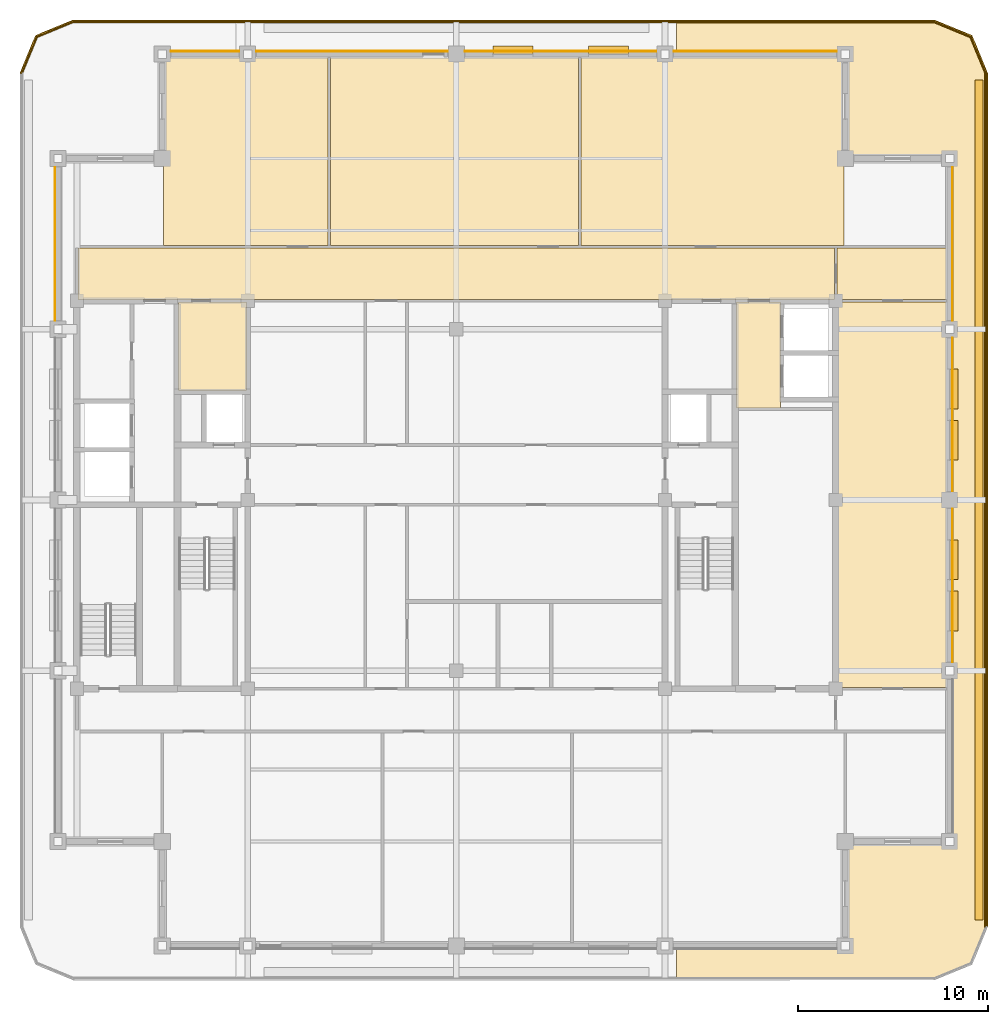
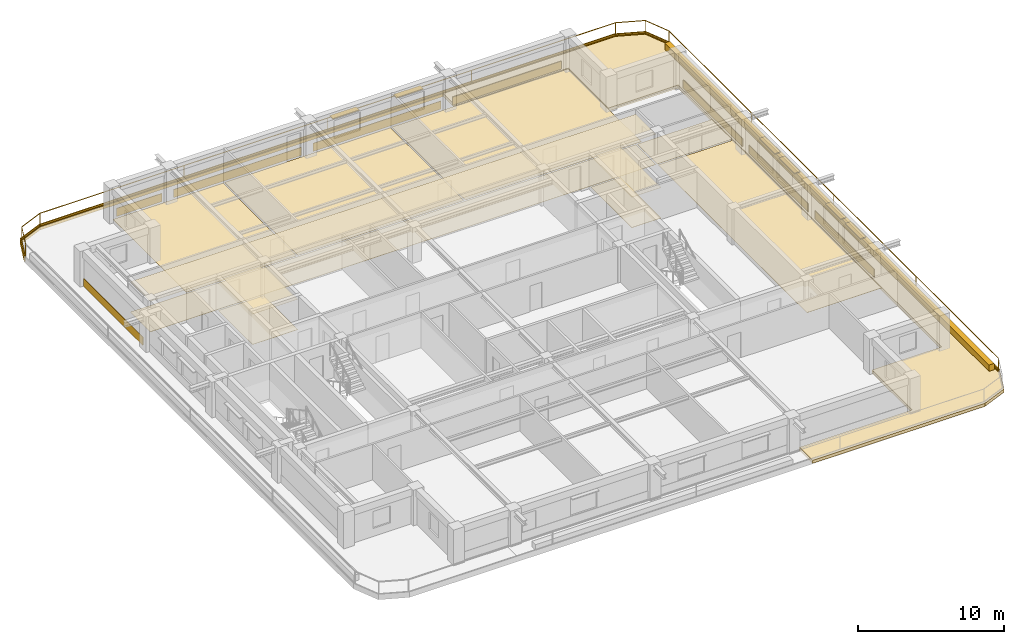
# One storey, part 11 of 11: 27 coverings, 6 shading devices, 2 railings.
"""IFC4 building model written with IfcOpenShell, lengths in metres."""

from ifc_helpers import new_model, si_unit, direction, frame, frame_2d, origin, origin_2d, place, context, subcontext, project, spatial, polyline, rectangle, outline, extrude, material, layer, layer_set, type_object, element, save


model = new_model("IFC4")

# Units and contexts
model_context = context("Model", 3, precision=1e-05, world=origin(), true_north=direction((0.0, 1.0)))
body_context = subcontext(model_context, "Body", "Model", "MODEL_VIEW")
ifc_project = project(units=[si_unit("LENGTHUNIT", "METRE"), si_unit("AREAUNIT", "SQUARE_METRE"), si_unit("VOLUMEUNIT", "CUBIC_METRE"), si_unit("PLANEANGLEUNIT", "RADIAN"), si_unit("MASSUNIT", "GRAM", prefix="KILO")], contexts=[model_context])

# Site, building, storey
site_placement = place(None, origin())
site = spatial("IfcSite", under=ifc_project, at=site_placement, CompositionType="ELEMENT")
building_placement = place(site_placement, origin())
building = spatial("IfcBuilding", under=site, at=building_placement, Name="Zulmaris Gate Convention Tower", CompositionType="ELEMENT")
storey_placement = place(building_placement, frame((0.0, 0.0, 236.510009765625)))
storey = spatial("IfcBuildingStorey", under=building, at=storey_placement, Name="L62", CompositionType="ELEMENT", Elevation=236.510009765625)

# Coverings
ifc_material_1 = material(Name="Precast concrete C40/50", Category="concrete")
ifc_layer_1 = layer(ifc_material_1, 0.0400390625, Name="Precast concrete C40/50")
ifc_layer_set_1 = layer_set([ifc_layer_1], Name="Precast concrete C40/50")
covering_type_1 = type_object("IfcCoveringType", Name="CLAD-SPANDREL-PRECAST", PredefinedType="CLADDING", material=ifc_layer_set_1)
covering_1_placement = place(storey_placement, frame((-11.455078125, 23.64990234375, 0.0), z_axis=(0.0, 0.0, 1.0), x_axis=(-1.0, 0.0, 0.0)))
element("IfcCovering", 1, at=covering_1_placement, inside=storey, type_object=covering_type_1, Name="CLD-L62-N-0_0", PredefinedType="CLADDING", context=body_context, shape_type="SweptSolid", body=[
    extrude(rectangle(XDim=3.58984375, YDim=0.0400390625, at=frame_2d((1.794921875, 0.0))), origin(), (0.0, 0.0, 1.0), 0.679931640625),
])
for number, where, z_axis, x_axis, name in (
    (2, (-0.455078125, 23.64990234375, 0.0), (0.0, 0.0, 1.0), (-1.0, 0.0, 0.0), "CLD-L62-N-1_0"),
    (3, (10.544921875, 23.64990234375, 0.0), (0.0, 0.0, 1.0), (-1.0, 0.0, 0.0), "CLD-L62-N-2_0"),
):
    element("IfcCovering", number, at=place(storey_placement, frame(where, z_axis=z_axis, x_axis=x_axis)), inside=storey, type_object=covering_type_1, Name=name, PredefinedType="CLADDING", context=body_context, shape_type="SweptSolid", body=[
        extrude(rectangle(XDim=10.08984375, YDim=0.0400390625, at=frame_2d((5.044921875, 0.0))), origin(), (0.0, 0.0, 1.0), 0.679931640625),
    ])
covering_2_placement = place(storey_placement, frame((20.044921875, 23.64990234375, 0.0), z_axis=(0.0, 0.0, 1.0), x_axis=(-1.0, 0.0, 0.0)))
element("IfcCovering", 4, at=covering_2_placement, inside=storey, type_object=covering_type_1, Name="CLD-L62-N-3_0", PredefinedType="CLADDING", context=body_context, shape_type="SweptSolid", body=[
    extrude(rectangle(XDim=8.58984375, YDim=0.0400390625, at=frame_2d((4.294921875, 0.0))), origin(), (0.0, 0.0, 1.0), 0.679931640625),
])
for number, where, z_axis, x_axis, name in (
    (5, (26.14990234375, -8.544921875, 0.0), (0.0, 0.0, 1.0), (0.0, 1.0, 0.0), "CLD-L62-E-1_0"),
    (6, (26.14990234375, 0.455078125, 0.0), (0.0, 0.0, 1.0), (0.0, 1.0, 0.0), "CLD-L62-E-2_0"),
    (7, (26.14990234375, 9.455078125, 0.0), (0.0, 0.0, 1.0), (0.0, 1.0, 0.0), "CLD-L62-E-3_0"),
    (8, (-21.14990234375, 17.544921875, 0.0), (0.0, 0.0, 1.0), (0.0, -1.0, 0.0), "CLD-L62-W-3_0"),
):
    element("IfcCovering", number, at=place(storey_placement, frame(where, z_axis=z_axis, x_axis=x_axis)), inside=storey, type_object=covering_type_1, Name=name, PredefinedType="CLADDING", context=body_context, shape_type="SweptSolid", body=[
        extrude(rectangle(XDim=8.08984375, YDim=0.0400390625, at=frame_2d((4.044921875, 0.0))), origin(), (0.0, 0.0, 1.0), 0.679931640625),
    ])
ifc_material_2 = material(Name="White Glazed Architectural Precast Concrete C40/50", Category="concrete")
ifc_layer_2 = layer(ifc_material_2, 0.239990234375, Name="White Glazed Architectural Precast Concrete C40/50")
ifc_layer_set_2 = layer_set([ifc_layer_2], Name="White Glazed Architectural Precast Concrete C40/50")
covering_type_2 = type_object("IfcCoveringType", Name="CLAD-TRAY-DECK", PredefinedType="CLADDING", material=ifc_layer_set_2)
covering_3_placement = place(storey_placement, frame((0.0, 0.0, -0.25)))
element("IfcCovering", 9, at=covering_3_placement, inside=storey, type_object=covering_type_2, Name="L62 East Rounded-Fascia Planter Tray Deck", PredefinedType="CLADDING", context=body_context, shape_type="SweptSolid", body=[
    extrude(outline(polyline([(25.199951171875, 25.300048828125), (27.179931640625, 24.47998046875), (28.0, 22.5), (28.0, -22.5), (27.179931640625, -24.47998046875), (25.199951171875, -25.300048828125), (11.60205078125, -25.300048828125), (11.60205078125, -23.5), (20.5, -23.5), (20.5, -18.0), (26.0, -18.0), (26.0, 18.0), (20.5, 18.0), (20.5, 23.5), (11.60205078125, 23.5), (11.60205078125, 25.300048828125), (25.199951171875, 25.300048828125)])), origin(), (0.0, 0.0, 1.0), 0.260009765625),
])
ifc_layer_3 = layer(ifc_material_2, 0.080078125, Name="White Glazed Architectural Precast Concrete C40/50")
ifc_layer_set_3 = layer_set([ifc_layer_3], Name="White Glazed Architectural Precast Concrete C40/50")
covering_type_3 = type_object("IfcCoveringType", Name="CLAD-TRAY-FASCIA", PredefinedType="CLADDING", material=ifc_layer_set_3)
covering_4_placement = place(storey_placement, frame((27.9599609375, -22.5, -0.2900390625), z_axis=(0.0, 0.0, 1.0), x_axis=(0.0, 1.0, 0.0)))
element("IfcCovering", 10, at=covering_4_placement, inside=storey, type_object=covering_type_3, Name="FSC-L62-TR-05", PredefinedType="CLADDING", context=body_context, shape_type="SweptSolid", body=[
    extrude(rectangle(XDim=45.0, YDim=0.080078125, at=frame_2d((22.5, 0.0))), origin(), (0.0, 0.0, 1.0), 0.4599609375),
])
covering_5_placement = place(storey_placement, frame((27.962890625, 22.484619140625, -0.2900390625), z_axis=(0.0, 0.0, 1.0), x_axis=(-0.382656984709, 0.923890487046, 0.0)))
element("IfcCovering", 11, at=covering_5_placement, inside=storey, type_object=covering_type_3, Name="FSC-L62-TR-06", PredefinedType="CLADDING", context=body_context, shape_type="SweptSolid", body=[
    extrude(rectangle(XDim=2.14306640625, YDim=0.080078125, at=frame_2d((1.071533203125, 0.0))), origin(), (0.0, 0.0, 1.0), 0.4599609375),
])
covering_6_placement = place(storey_placement, frame((27.16455078125, 24.44287109375, -0.2900390625), z_axis=(0.0, 0.0, 1.0), x_axis=(-0.923873803533, 0.382697263049, 0.0)))
element("IfcCovering", 12, at=covering_6_placement, inside=storey, type_object=covering_type_3, Name="FSC-L62-TR-07", PredefinedType="CLADDING", context=body_context, shape_type="SweptSolid", body=[
    extrude(rectangle(XDim=2.142822265625, YDim=0.080078125, at=frame_2d((1.0712890625, 0.0))), origin(), (0.0, 0.0, 1.0), 0.4599609375),
])
covering_7_placement = place(storey_placement, frame((25.199951171875, 25.260009765625, -0.2900390625), z_axis=(0.0, 0.0, 1.0), x_axis=(-1.0, 0.0, 0.0)))
element("IfcCovering", 13, at=covering_7_placement, inside=storey, type_object=covering_type_3, Name="FSC-L62-TR-08", PredefinedType="CLADDING", context=body_context, shape_type="SweptSolid", body=[
    extrude(rectangle(XDim=45.39990234375, YDim=0.080078125, at=frame_2d((22.699951171875, 0.0))), origin(), (0.0, 0.0, 1.0), 0.4599609375),
])
covering_8_placement = place(storey_placement, frame((-20.184814453125, 25.262939453125, -0.2900390625), z_axis=(0.0, 0.0, 1.0), x_axis=(-0.923873803533, -0.382697263049, 0.0)))
element("IfcCovering", 14, at=covering_8_placement, inside=storey, type_object=covering_type_3, Name="FSC-L62-TR-09", PredefinedType="CLADDING", context=body_context, shape_type="SweptSolid", body=[
    extrude(rectangle(XDim=2.142822265625, YDim=0.080078125, at=frame_2d((1.0712890625, 0.0))), origin(), (0.0, 0.0, 1.0), 0.4599609375),
])
covering_9_placement = place(storey_placement, frame((-22.142822265625, 24.464599609375, -0.2900390625), z_axis=(0.0, 0.0, 1.0), x_axis=(-0.382656984709, -0.923890487046, 0.0)))
element("IfcCovering", 15, at=covering_9_placement, inside=storey, type_object=covering_type_3, Name="FSC-L62-TR-10", PredefinedType="CLADDING", context=body_context, shape_type="SweptSolid", body=[
    extrude(rectangle(XDim=2.14306640625, YDim=0.080078125, at=frame_2d((1.071533203125, 0.0))), origin(), (0.0, 0.0, 1.0), 0.4599609375),
])
ifc_material_3 = material(Name="Mineral Fibre Acoustic Ceiling Tile")
ifc_layer_4 = layer(ifc_material_3, 0.02001953125, Name="Mineral Fibre Acoustic Ceiling Tile")
ifc_layer_set_4 = layer_set([ifc_layer_4], Name="Mineral Fibre Acoustic Ceiling Tile")
covering_type_4 = type_object("IfcCoveringType", Name="CLG-ACOUSTIC-600", PredefinedType="CEILING", material=ifc_layer_set_4)
covering_10_placement = place(storey_placement, frame((0.0, 0.0, 2.5380859375)))
element("IfcCovering", 16, at=covering_10_placement, inside=storey, type_object=covering_type_4, Name="CLG-L62-R11", PredefinedType="CEILING", context=body_context, shape_type="SweptSolid", body=[
    extrude(outline(polyline([(-14.639892578125, 5.760009765625), (-11.06005859375, 5.760009765625), (-11.06005859375, 10.43994140625), (-14.639892578125, 10.43994140625), (-14.639892578125, 5.760009765625)])), origin(), (0.0, 0.0, 1.0), 0.02001953125),
])
covering_11_placement = place(storey_placement, frame((0.0, 0.0, 2.5380859375)))
element("IfcCovering", 17, at=covering_11_placement, inside=storey, type_object=covering_type_4, Name="CLG-L62-R21", PredefinedType="CEILING", context=body_context, shape_type="SweptSolid", body=[
    extrude(outline(polyline([(14.760009765625, 4.860107421875), (17.090087890625, 4.860107421875), (17.090087890625, 10.43994140625), (14.760009765625, 10.43994140625), (14.760009765625, 4.860107421875)])), origin(), (0.0, 0.0, 1.0), 0.02001953125),
])
covering_12_placement = place(storey_placement, frame((0.0, 0.0, 2.5380859375)))
element("IfcCovering", 18, at=covering_12_placement, inside=storey, type_object=covering_type_4, Name="CLG-L62-R25", PredefinedType="CEILING", context=body_context, shape_type="SweptSolid", body=[
    extrude(outline(polyline([(-19.93994140625, 10.56005859375), (19.93994140625, 10.56005859375), (19.93994140625, 13.2900390625), (-19.93994140625, 13.2900390625), (-19.93994140625, 10.56005859375)])), origin(), (0.0, 0.0, 1.0), 0.02001953125),
])
ifc_material_4 = material(Name="Woven Acoustic Wool Carpet Tile")
ifc_layer_5 = layer(ifc_material_4, 0.02001953125, Name="Woven Acoustic Wool Carpet Tile")
ifc_layer_set_5 = layer_set([ifc_layer_5], Name="Woven Acoustic Wool Carpet Tile")
covering_type_5 = type_object("IfcCoveringType", Name="FLR-CARPET-12", PredefinedType="FLOORING", material=ifc_layer_set_5)
covering_13_placement = place(storey_placement, origin())
element("IfcCovering", 19, at=covering_13_placement, inside=storey, type_object=covering_type_5, Name="FLR-L62-R11", PredefinedType="FLOORING", context=body_context, shape_type="SweptSolid", body=[
    extrude(outline(polyline([(-14.639892578125, 5.760009765625), (-11.06005859375, 5.760009765625), (-11.06005859375, 10.43994140625), (-14.639892578125, 10.43994140625), (-14.639892578125, 5.760009765625)])), origin(), (0.0, 0.0, 1.0), 0.02001953125),
])
covering_14_placement = place(storey_placement, origin())
element("IfcCovering", 20, at=covering_14_placement, inside=storey, type_object=covering_type_5, Name="FLR-L62-R21", PredefinedType="FLOORING", context=body_context, shape_type="SweptSolid", body=[
    extrude(outline(polyline([(14.760009765625, 4.860107421875), (17.090087890625, 4.860107421875), (17.090087890625, 10.43994140625), (14.760009765625, 10.43994140625), (14.760009765625, 4.860107421875)])), origin(), (0.0, 0.0, 1.0), 0.02001953125),
])
covering_15_placement = place(storey_placement, origin())
element("IfcCovering", 21, at=covering_15_placement, inside=storey, type_object=covering_type_5, Name="FLR-L62-R25", PredefinedType="FLOORING", context=body_context, shape_type="SweptSolid", body=[
    extrude(outline(polyline([(-19.93994140625, 10.56005859375), (19.93994140625, 10.56005859375), (19.93994140625, 13.2900390625), (-19.93994140625, 13.2900390625), (-19.93994140625, 10.56005859375)])), origin(), (0.0, 0.0, 1.0), 0.02001953125),
])
covering_16_placement = place(storey_placement, origin())
element("IfcCovering", 22, at=covering_16_placement, inside=storey, type_object=covering_type_5, Name="FLR-L62-R30", PredefinedType="FLOORING", context=body_context, shape_type="SweptSolid", body=[
    extrude(outline(polyline([(-15.43994140625, 13.409912109375), (-6.760009765625, 13.409912109375), (-6.760009765625, 23.43994140625), (-15.43994140625, 23.43994140625), (-15.43994140625, 13.409912109375)])), origin(), (0.0, 0.0, 1.0), 0.02001953125),
])
covering_17_placement = place(storey_placement, origin())
element("IfcCovering", 23, at=covering_17_placement, inside=storey, type_object=covering_type_5, Name="FLR-L62-R31", PredefinedType="FLOORING", context=body_context, shape_type="SweptSolid", body=[
    extrude(outline(polyline([(-6.639892578125, 13.409912109375), (6.43994140625, 13.409912109375), (6.43994140625, 23.43994140625), (-6.639892578125, 23.43994140625), (-6.639892578125, 13.409912109375)])), origin(), (0.0, 0.0, 1.0), 0.02001953125),
])
covering_18_placement = place(storey_placement, origin())
element("IfcCovering", 24, at=covering_18_placement, inside=storey, type_object=covering_type_5, Name="FLR-L62-R32", PredefinedType="FLOORING", context=body_context, shape_type="SweptSolid", body=[
    extrude(outline(polyline([(6.56005859375, 13.409912109375), (20.43994140625, 13.409912109375), (20.43994140625, 23.43994140625), (6.56005859375, 23.43994140625), (6.56005859375, 13.409912109375)])), origin(), (0.0, 0.0, 1.0), 0.02001953125),
])
covering_19_placement = place(storey_placement, origin())
element("IfcCovering", 25, at=covering_19_placement, inside=storey, type_object=covering_type_5, Name="FLR-L62-R43", PredefinedType="FLOORING", context=body_context, shape_type="SweptSolid", body=[
    extrude(outline(polyline([(20.06005859375, 10.56005859375), (25.93994140625, 10.56005859375), (25.93994140625, 13.2900390625), (20.06005859375, 13.2900390625), (20.06005859375, 10.56005859375)])), origin(), (0.0, 0.0, 1.0), 0.02001953125),
])
covering_20_placement = place(storey_placement, origin())
element("IfcCovering", 26, at=covering_20_placement, inside=storey, type_object=covering_type_5, Name="FLR-L62-R45", PredefinedType="FLOORING", context=body_context, shape_type="SweptSolid", body=[
    extrude(outline(polyline([(20.06005859375, -9.889892578125), (25.93994140625, -9.889892578125), (25.93994140625, 10.43994140625), (20.06005859375, 10.43994140625), (20.06005859375, -9.889892578125)])), origin(), (0.0, 0.0, 1.0), 0.02001953125),
])
ifc_material_5 = material(Name="Botanical Green Glazed Precast Concrete C40/50", Category="concrete")
ifc_layer_6 = layer(ifc_material_5, 0.419921875, Name="Botanical Green Glazed Precast Concrete C40/50")
ifc_layer_set_6 = layer_set([ifc_layer_6], Name="Botanical Green Glazed Precast Concrete C40/50")
covering_type_6 = type_object("IfcCoveringType", Name="PLANTER-BOX-200", PredefinedType="CLADDING", material=ifc_layer_set_6)
covering_21_placement = place(storey_placement, frame((0.0, 0.0, 0.010009765625)))
element("IfcCovering", 27, at=covering_21_placement, inside=storey, type_object=covering_type_6, Name="L62 E Full-Length Balcony Tree Planter Trough", PredefinedType="CLADDING", context=body_context, shape_type="SweptSolid", body=[
    extrude(outline(polyline([(27.340087890625, -22.14990234375), (27.760009765625, -22.14990234375), (27.760009765625, 22.14990234375), (27.340087890625, 22.14990234375), (27.340087890625, -22.14990234375)])), origin(), (0.0, 0.0, 1.0), 0.52001953125),
])

# Railings
ifc_material_6 = material(Name="Laminated Glass and Stainless Steel", Category="steel")
railing_type = type_object("IfcRailingType", Name="RL-BALC-1150", PredefinedType="BALUSTRADE", material=ifc_material_6)
railing_1_placement = place(storey_placement, frame((27.8798828125, -22.5, 0.010009765625)))
element("IfcRailing", 28, at=railing_1_placement, inside=storey, type_object=railing_type, Name="RL-L62-BALC-E", PredefinedType="BALUSTRADE", context=body_context, shape_type="SweptSolid", body=[
    extrude(rectangle(XDim=0.048095703125, YDim=0.048095703125, at=origin_2d()), frame((0.0, 0.0, 1.1259765625), z_axis=(0.0, 1.0, 0.0), x_axis=(-1.0, 0.0, 0.0)), (0.0, 0.0, 1.0), 45.0),
    extrude(rectangle(XDim=0.048095703125, YDim=0.048095703125, at=origin_2d()), frame((0.0, 0.0, 0.02392578125), z_axis=(0.0, 1.0, 0.0), x_axis=(-1.0, 0.0, 0.0)), (0.0, 0.0, 1.0), 45.0),
    extrude(rectangle(XDim=0.0419921875, YDim=0.0419921875, at=origin_2d()), origin(), (0.0, 0.0, 1.0), 1.101806640625),
    extrude(rectangle(XDim=0.0419921875, YDim=0.0419921875, at=origin_2d()), frame((0.0, 11.25, 0.0)), (0.0, 0.0, 1.0), 1.101806640625),
    extrude(rectangle(XDim=0.0419921875, YDim=0.0419921875, at=origin_2d()), frame((0.0, 22.5, 0.0)), (0.0, 0.0, 1.0), 1.101806640625),
    extrude(rectangle(XDim=0.0419921875, YDim=0.0419921875, at=origin_2d()), frame((0.0, 33.75, 0.0)), (0.0, 0.0, 1.0), 1.101806640625),
    extrude(rectangle(XDim=0.0419921875, YDim=0.0419921875, at=origin_2d()), frame((0.0, 45.0, 0.0)), (0.0, 0.0, 1.0), 1.101806640625),
])
railing_2_placement = place(storey_placement, frame((27.8798828125, 22.5, 0.010009765625)))
element("IfcRailing", 29, at=railing_2_placement, inside=storey, type_object=railing_type, Name="RL-L62-BALC-N", PredefinedType="BALUSTRADE", context=body_context, shape_type="SweptSolid", body=[
    extrude(rectangle(XDim=0.048095703125, YDim=0.048095703125, at=origin_2d()), frame((0.0, 0.0, 1.1259765625), z_axis=(-0.382670664694, 0.92388482095, 0.0), x_axis=(-0.92388482095, -0.382670664694, 0.0)), (0.0, 0.0, 1.0), 2.051025390625),
    extrude(rectangle(XDim=0.048095703125, YDim=0.048095703125, at=origin_2d()), frame((0.0, 0.0, 0.02392578125), z_axis=(-0.382670664694, 0.92388482095, 0.0), x_axis=(-0.92388482095, -0.382670664694, 0.0)), (0.0, 0.0, 1.0), 2.051025390625),
    extrude(rectangle(XDim=0.048095703125, YDim=0.048095703125, at=origin_2d()), frame((-0.784912109375, 1.89501953125, 1.1259765625), z_axis=(-0.92388482095, 0.382670664694, 0.0), x_axis=(-0.382670664694, -0.92388482095, 0.0)), (0.0, 0.0, 1.0), 2.051025390625),
    extrude(rectangle(XDim=0.048095703125, YDim=0.048095703125, at=origin_2d()), frame((-0.784912109375, 1.89501953125, 0.02392578125), z_axis=(-0.92388482095, 0.382670664694, 0.0), x_axis=(-0.382670664694, -0.92388482095, 0.0)), (0.0, 0.0, 1.0), 2.051025390625),
    extrude(rectangle(XDim=0.048095703125, YDim=0.048095703125, at=origin_2d()), frame((-2.679931640625, 2.679931640625, 1.1259765625), z_axis=(-1.0, 0.0, 0.0), x_axis=(0.0, -1.0, 0.0)), (0.0, 0.0, 1.0), 45.39990234375),
    extrude(rectangle(XDim=0.048095703125, YDim=0.048095703125, at=origin_2d()), frame((-2.679931640625, 2.679931640625, 0.02392578125), z_axis=(-1.0, 0.0, 0.0), x_axis=(0.0, -1.0, 0.0)), (0.0, 0.0, 1.0), 45.39990234375),
    extrude(rectangle(XDim=0.048095703125, YDim=0.048095703125, at=origin_2d()), frame((-48.079833984375, 2.679931640625, 1.1259765625), z_axis=(-0.92388482095, -0.382670664694, 0.0), x_axis=(0.382670664694, -0.92388482095, 0.0)), (0.0, 0.0, 1.0), 2.051025390625),
    extrude(rectangle(XDim=0.048095703125, YDim=0.048095703125, at=origin_2d()), frame((-48.079833984375, 2.679931640625, 0.02392578125), z_axis=(-0.92388482095, -0.382670664694, 0.0), x_axis=(0.382670664694, -0.92388482095, 0.0)), (0.0, 0.0, 1.0), 2.051025390625),
    extrude(rectangle(XDim=0.048095703125, YDim=0.048095703125, at=origin_2d()), frame((-49.974853515625, 1.89501953125, 1.1259765625), z_axis=(-0.382670664694, -0.92388482095, 0.0), x_axis=(0.92388482095, -0.382670664694, 0.0)), (0.0, 0.0, 1.0), 2.051025390625),
    extrude(rectangle(XDim=0.048095703125, YDim=0.048095703125, at=origin_2d()), frame((-49.974853515625, 1.89501953125, 0.02392578125), z_axis=(-0.382670664694, -0.92388482095, 0.0), x_axis=(0.92388482095, -0.382670664694, 0.0)), (0.0, 0.0, 1.0), 2.051025390625),
    extrude(rectangle(XDim=0.0419921875, YDim=0.0419921875, at=origin_2d()), origin(), (0.0, 0.0, 1.0), 1.101806640625),
    extrude(rectangle(XDim=0.0419921875, YDim=0.0419921875, at=origin_2d()), frame((-0.784912109375, 1.89501953125, 0.0)), (0.0, 0.0, 1.0), 1.101806640625),
    extrude(rectangle(XDim=0.0419921875, YDim=0.0419921875, at=origin_2d()), frame((-2.679931640625, 2.679931640625, 0.0)), (0.0, 0.0, 1.0), 1.101806640625),
    extrude(rectangle(XDim=0.0419921875, YDim=0.0419921875, at=origin_2d()), frame((-14.02978515625, 2.679931640625, 0.0)), (0.0, 0.0, 1.0), 1.101806640625),
    extrude(rectangle(XDim=0.0419921875, YDim=0.0419921875, at=origin_2d()), frame((-25.3798828125, 2.679931640625, 0.0)), (0.0, 0.0, 1.0), 1.101806640625),
    extrude(rectangle(XDim=0.0419921875, YDim=0.0419921875, at=origin_2d()), frame((-36.72998046875, 2.679931640625, 0.0)), (0.0, 0.0, 1.0), 1.101806640625),
    extrude(rectangle(XDim=0.0419921875, YDim=0.0419921875, at=origin_2d()), frame((-48.079833984375, 2.679931640625, 0.0)), (0.0, 0.0, 1.0), 1.101806640625),
    extrude(rectangle(XDim=0.0419921875, YDim=0.0419921875, at=origin_2d()), frame((-49.974853515625, 1.89501953125, 0.0)), (0.0, 0.0, 1.0), 1.101806640625),
    extrude(rectangle(XDim=0.0419921875, YDim=0.0419921875, at=origin_2d()), frame((-50.759765625, 0.0, 0.0)), (0.0, 0.0, 1.0), 1.101806640625),
])

# Shading devices
ifc_material_7 = material(Name="Glazed Ceramic Terracotta", Category="masonry")
ifc_layer_7 = layer(ifc_material_7, 0.070068359375, Name="Glazed Ceramic Terracotta")
ifc_layer_set_7 = layer_set([ifc_layer_7], Name="Glazed Ceramic Terracotta")
shading_device_type = type_object("IfcShadingDeviceType", Name="SHD-SUNSHADE-TC", PredefinedType="AWNING", material=ifc_layer_set_7)
for number, where, z_axis, x_axis, name in (
    (30, (9.072998046875, 23.719970703125, 2.22998046875), (0.0, 0.0, 1.0), (-1.0, 0.0, 0.0), "SHD-EW-L62-N-2_0-1"),
    (31, (4.027099609375, 23.719970703125, 2.22998046875), (0.0, 0.0, 1.0), (-1.0, 0.0, 0.0), "SHD-EW-L62-N-2_0-3"),
):
    element("IfcShadingDevice", number, at=place(storey_placement, frame(where, z_axis=z_axis, x_axis=x_axis)), inside=storey, type_object=shading_device_type, Name=name, PredefinedType="AWNING", context=body_context, shape_type="SweptSolid", body=[
        extrude(rectangle(XDim=2.10009765625, YDim=0.43994140625, at=frame_2d((1.050048828125, 0.0))), origin(), (0.0, 0.0, 1.0), 0.070068359375),
    ])
for number, where, z_axis, x_axis, name in (
    (32, (26.219970703125, -6.89794921875, 2.22998046875), (0.0, 0.0, 1.0), (0.0, 1.0, 0.0), "SHD-EW-L62-E-1_0-1"),
    (33, (26.219970703125, -4.201904296875, 2.22998046875), (0.0, 0.0, 1.0), (0.0, 1.0, 0.0), "SHD-EW-L62-E-1_0-2"),
    (34, (26.219970703125, 2.10205078125, 2.22998046875), (0.0, 0.0, 1.0), (0.0, 1.0, 0.0), "SHD-EW-L62-E-2_0-1"),
    (35, (26.219970703125, 4.798095703125, 2.22998046875), (0.0, 0.0, 1.0), (0.0, 1.0, 0.0), "SHD-EW-L62-E-2_0-2"),
):
    element("IfcShadingDevice", number, at=place(storey_placement, frame(where, z_axis=z_axis, x_axis=x_axis)), inside=storey, type_object=shading_device_type, Name=name, PredefinedType="AWNING", context=body_context, shape_type="SweptSolid", body=[
        extrude(rectangle(XDim=2.099853515625, YDim=0.43994140625, at=frame_2d((1.0498046875, 0.0))), origin(), (0.0, 0.0, 1.0), 0.070068359375),
    ])

save(model, "model.ifc")
